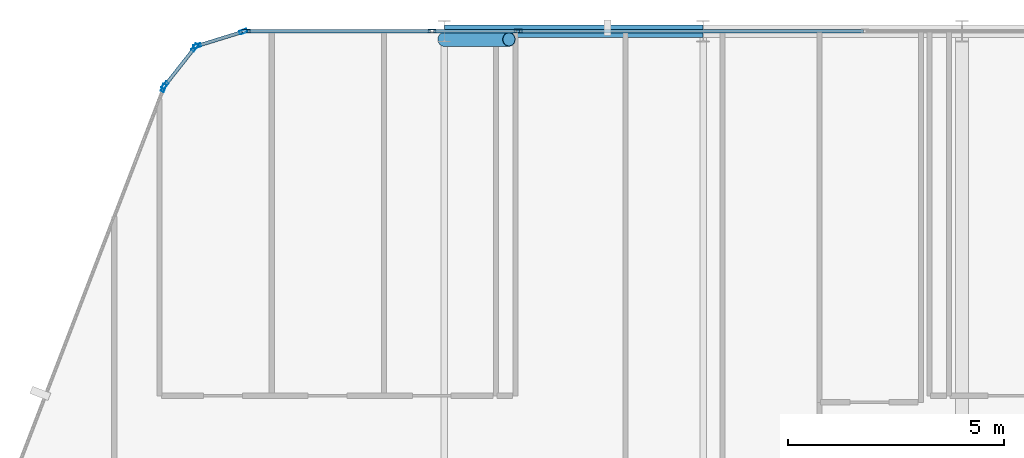
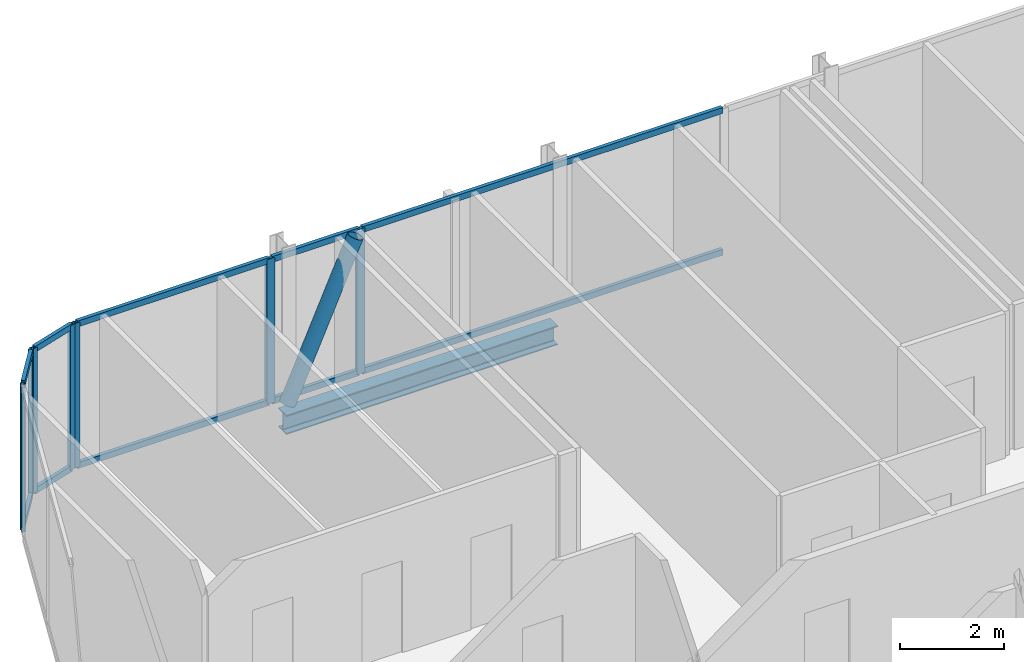
# One storey, part 17 of 31: 19 members, 1 beam, 6 elements without a shape of their own.
"""IFC4 building model written with IfcOpenShell, lengths in metres."""

from ifc_helpers import new_model, si_unit, direction, frame, origin, origin_2d, place, context, subcontext, project, spatial, hollow_rectangle, hollow_circle, i_section, extrude, material, layer, layer_set, material_profile, profile_set, type_object, element, aggregate, save


model = new_model("IFC4")

# Units and contexts
model_context = context("Model", 3, precision=1e-05, world=origin(), true_north=direction((0.0, 1.0)))
body_context = subcontext(model_context, "Body", "Model", "MODEL_VIEW")
ifc_project = project(units=[si_unit("LENGTHUNIT", "METRE"), si_unit("AREAUNIT", "SQUARE_METRE"), si_unit("VOLUMEUNIT", "CUBIC_METRE"), si_unit("PLANEANGLEUNIT", "RADIAN"), si_unit("MASSUNIT", "GRAM", prefix="KILO")], contexts=[model_context])

# Site, building, storey
site_placement = place(None, origin())
site = spatial("IfcSite", under=ifc_project, at=site_placement, CompositionType="ELEMENT")
building_placement = place(site_placement, origin())
building = spatial("IfcBuilding", under=site, at=building_placement, Name="Keshet Zoharim Tower", CompositionType="ELEMENT")
storey_placement = place(building_placement, frame((0.0, 0.0, 148.300048828125)))
storey = spatial("IfcBuildingStorey", under=building, at=storey_placement, Name="L36", CompositionType="ELEMENT", Elevation=148.300048828125)

# Beam
ifc_material_1 = material(Name="Steel S355", Category="steel")
ifc_material_profile_1 = material_profile(ifc_material_1, i_section(OverallWidth=0.300048828125, OverallDepth=0.449951171875, WebThickness=0.013916015625, FlangeThickness=0.02587890625, FilletRadius=0.027099609375, at=origin_2d()), Name="HEB450")
ifc_profile_set_1 = profile_set([ifc_material_profile_1], Name="Steel S355")
beam_type = type_object("IfcBeamType", Name="BM-WEB-HB450", PredefinedType="BEAM", material=ifc_profile_set_1)
beam_placement = place(storey_placement, frame((21.0, 53.89990234375, -0.5400390625), z_axis=(1.0, 0.0, 0.0), x_axis=(0.0, 1.0, 0.0)))
element("IfcBeam", 1, at=beam_placement, inside=storey, type_object=beam_type, Name="L36 Primary Girder X-020", PredefinedType="BEAM", context=body_context, shape_type="SweptSolid", body=[
    extrude(i_section(OverallWidth=0.300048828125, OverallDepth=0.449951171875, WebThickness=0.013916015625, FlangeThickness=0.02587890625, FilletRadius=0.027099609375, at=origin_2d()), origin(), (0.0, 0.0, 1.0), 6.0),
])

# Curtain wall, member
ifc_material_2 = material(Name="Aluminium 6063-T6", Category="aluminium")
ifc_layer = layer(ifc_material_2, 0.159912109375)
ifc_layer_set = layer_set([ifc_layer], Name="Aluminium 6063-T6")
curtain_wall_type = type_object("IfcCurtainWallType", Name="CW-SYS-03", PredefinedType="NOTDEFINED", material=ifc_layer_set)
curtain_wall_1_placement = place(storey_placement, origin())
curtain_wall_1 = element("IfcCurtainWall", 2, at=curtain_wall_1_placement, inside=storey, type_object=curtain_wall_type, Name="L36 Unitised Curtain Wall 10", PredefinedType="NOTDEFINED")
ifc_material_profile_2 = material_profile(ifc_material_2, hollow_rectangle(XDim=0.080078125, YDim=0.179931640625, WallThickness=0.00439453125, at=origin_2d()), Name="MUL-80x180")
ifc_profile_set_2 = profile_set([ifc_material_profile_2], Name="Aluminium 6063-T6")
member_type_1 = type_object("IfcMemberType", Name="CWM-M18", PredefinedType="MULLION", material=ifc_profile_set_2)
member_1_placement = place(storey_placement, frame((14.494384765625, 52.58544921875, 0.0), z_axis=(0.0, 0.0, 1.0), x_axis=(-0.933341404361, 0.358990003907, 0.0)))
member_1 = element("IfcMember", 3, at=member_1_placement, type_object=member_type_1, Name="CW-03 mullion 4", PredefinedType="MULLION", context=body_context, shape_type="SweptSolid", body=[
    extrude(hollow_rectangle(XDim=0.080078125, YDim=0.179931640625, WallThickness=0.00439453125, at=origin_2d()), origin(), (0.0, 0.0, 1.0), 3.385009765625),
])
aggregate(curtain_wall_1, [member_1])

# Curtain wall, members
curtain_wall_2_placement = place(storey_placement, origin())
curtain_wall_2 = element("IfcCurtainWall", 4, at=curtain_wall_2_placement, inside=storey, type_object=curtain_wall_type, Name="L36 Unitised Curtain Wall 11", PredefinedType="NOTDEFINED")
member_2_placement = place(storey_placement, frame((14.528564453125, 52.6455078125, 0.0), z_axis=(0.0, 0.0, 1.0), x_axis=(-0.785292825205, 0.619124525989, 0.0)))
member_2 = element("IfcMember", 5, at=member_2_placement, type_object=member_type_1, Name="CW-03 mullion 1", PredefinedType="MULLION", context=body_context, shape_type="SweptSolid", body=[
    extrude(hollow_rectangle(XDim=0.080078125, YDim=0.179931640625, WallThickness=0.00439453125, at=origin_2d()), origin(), (0.0, 0.0, 1.0), 3.385009765625),
])
member_3_placement = place(storey_placement, frame((15.21923828125, 53.521484375, 0.0), z_axis=(0.0, 0.0, 1.0), x_axis=(-0.785292825205, 0.619124525989, 0.0)))
member_3 = element("IfcMember", 6, at=member_3_placement, type_object=member_type_1, Name="CW-03 mullion 2", PredefinedType="MULLION", context=body_context, shape_type="SweptSolid", body=[
    extrude(hollow_rectangle(XDim=0.080078125, YDim=0.179931640625, WallThickness=0.00439453125, at=origin_2d()), origin(), (0.0, 0.0, 1.0), 3.385009765625),
])

curtain_wall_3_placement = place(storey_placement, origin())
curtain_wall_3 = element("IfcCurtainWall", 7, at=curtain_wall_3_placement, inside=storey, type_object=curtain_wall_type, Name="L36 Unitised Curtain Wall 12", PredefinedType="NOTDEFINED")
member_4_placement = place(storey_placement, frame((15.2744140625, 53.559326171875, 0.0), z_axis=(0.0, 0.0, 1.0), x_axis=(-0.295921857984, 0.955212151288, 0.0)))
member_4 = element("IfcMember", 8, at=member_4_placement, type_object=member_type_1, Name="CW-03 mullion 1", PredefinedType="MULLION", context=body_context, shape_type="SweptSolid", body=[
    extrude(hollow_rectangle(XDim=0.080078125, YDim=0.179931640625, WallThickness=0.00439453125, at=origin_2d()), origin(), (0.0, 0.0, 1.0), 3.385009765625),
])
member_5_placement = place(storey_placement, frame((16.340576171875, 53.8896484375, 0.0), z_axis=(0.0, 0.0, 1.0), x_axis=(-0.295921857984, 0.955212151288, 0.0)))
member_5 = element("IfcMember", 9, at=member_5_placement, type_object=member_type_1, Name="CW-03 mullion 2", PredefinedType="MULLION", context=body_context, shape_type="SweptSolid", body=[
    extrude(hollow_rectangle(XDim=0.080078125, YDim=0.179931640625, WallThickness=0.00439453125, at=origin_2d()), origin(), (0.0, 0.0, 1.0), 3.385009765625),
])

curtain_wall_4_placement = place(storey_placement, origin())
curtain_wall_4 = element("IfcCurtainWall", 10, at=curtain_wall_4_placement, inside=storey, type_object=curtain_wall_type, Name="L36 Unitised Curtain Wall 13", PredefinedType="NOTDEFINED")
member_6_placement = place(storey_placement, frame((16.408935546875, 53.89990234375, 0.0), z_axis=(0.0, 0.0, 1.0), x_axis=(0.0, 1.0, 0.0)))
member_6 = element("IfcMember", 11, at=member_6_placement, type_object=member_type_1, Name="CW-03 mullion 1", PredefinedType="MULLION", context=body_context, shape_type="SweptSolid", body=[
    extrude(hollow_rectangle(XDim=0.080078125, YDim=0.179931640625, WallThickness=0.00439453125, at=origin_2d()), origin(), (0.0, 0.0, 1.0), 3.385009765625),
])
member_7_placement = place(storey_placement, frame((20.716796875, 53.89990234375, 0.0), z_axis=(0.0, 0.0, 1.0), x_axis=(0.0, 1.0, 0.0)))
member_7 = element("IfcMember", 12, at=member_7_placement, type_object=member_type_1, Name="CW-03 mullion 2", PredefinedType="MULLION", context=body_context, shape_type="SweptSolid", body=[
    extrude(hollow_rectangle(XDim=0.080078125, YDim=0.179931640625, WallThickness=0.00439453125, at=origin_2d()), origin(), (0.0, 0.0, 1.0), 3.385009765625),
])

# Curtain wall, member
curtain_wall_5_placement = place(storey_placement, origin())
curtain_wall_5 = element("IfcCurtainWall", 13, at=curtain_wall_5_placement, inside=storey, type_object=curtain_wall_type, Name="L36 Unitised Curtain Wall 13 Part 2", PredefinedType="NOTDEFINED")
member_8_placement = place(storey_placement, frame((22.713134765625, 53.89990234375, 0.0), z_axis=(0.0, 0.0, 1.0), x_axis=(0.0, 1.0, 0.0)))
member_8 = element("IfcMember", 14, at=member_8_placement, type_object=member_type_1, Name="CW-03 mullion 2", PredefinedType="MULLION", context=body_context, shape_type="SweptSolid", body=[
    extrude(hollow_rectangle(XDim=0.080078125, YDim=0.179931640625, WallThickness=0.00439453125, at=origin_2d()), origin(), (0.0, 0.0, 1.0), 3.385009765625),
])

# Member
ifc_material_profile_3 = material_profile(ifc_material_2, hollow_rectangle(XDim=0.080078125, YDim=0.139892578125, WallThickness=0.00390625, at=origin_2d()), Name="TRN-80x140")
ifc_profile_set_3 = profile_set([ifc_material_profile_3], Name="Aluminium 6063-T6")
member_type_2 = type_object("IfcMemberType", Name="CWT-T14", PredefinedType="USERDEFINED", material=ifc_profile_set_3)
member_9_placement = place(storey_placement, frame((14.55029296875, 52.6728515625, 0.034912109375), z_axis=(0.619099165969, 0.78531281837, 0.0), x_axis=(-0.78531281837, 0.619099165969, 0.0)))
member_9 = element("IfcMember", 15, at=member_9_placement, type_object=member_type_2, Name="CW-03 transom 1.1", ObjectType="TRANSOM", PredefinedType="USERDEFINED", context=body_context, shape_type="SweptSolid", body=[
    extrude(hollow_rectangle(XDim=0.080078125, YDim=0.139892578125, WallThickness=0.00390625, at=origin_2d()), origin(), (0.0, 0.0, 1.0), 1.0458984375),
])

member_10_placement = place(storey_placement, frame((14.55029296875, 52.6728515625, 3.349853515625), z_axis=(0.619099165969, 0.78531281837, 0.0), x_axis=(-0.78531281837, 0.619099165969, 0.0)))
member_10 = element("IfcMember", 16, at=member_10_placement, type_object=member_type_2, Name="CW-03 transom 1.2", ObjectType="TRANSOM", PredefinedType="USERDEFINED", context=body_context, shape_type="SweptSolid", body=[
    extrude(hollow_rectangle(XDim=0.080078125, YDim=0.139892578125, WallThickness=0.00390625, at=origin_2d()), origin(), (0.0, 0.0, 1.0), 1.0458984375),
])

aggregate(curtain_wall_2, [member_2, member_3, member_9, member_10])

member_11_placement = place(storey_placement, frame((15.307861328125, 53.56982421875, 0.034912109375), z_axis=(0.955212093062, 0.295922045933, 0.0), x_axis=(-0.295922045933, 0.955212093062, 0.0)))
member_11 = element("IfcMember", 17, at=member_11_placement, type_object=member_type_2, Name="CW-03 transom 1.1", ObjectType="TRANSOM", PredefinedType="USERDEFINED", context=body_context, shape_type="SweptSolid", body=[
    extrude(hollow_rectangle(XDim=0.080078125, YDim=0.139892578125, WallThickness=0.00390625, at=origin_2d()), origin(), (0.0, 0.0, 1.0), 1.046142578125),
])

member_12_placement = place(storey_placement, frame((15.307861328125, 53.56982421875, 3.349853515625), z_axis=(0.955212093062, 0.295922045933, 0.0), x_axis=(-0.295922045933, 0.955212093062, 0.0)))
member_12 = element("IfcMember", 18, at=member_12_placement, type_object=member_type_2, Name="CW-03 transom 1.2", ObjectType="TRANSOM", PredefinedType="USERDEFINED", context=body_context, shape_type="SweptSolid", body=[
    extrude(hollow_rectangle(XDim=0.080078125, YDim=0.139892578125, WallThickness=0.00390625, at=origin_2d()), origin(), (0.0, 0.0, 1.0), 1.046142578125),
])

aggregate(curtain_wall_3, [member_4, member_5, member_11, member_12])

member_13_placement = place(storey_placement, frame((16.444091796875, 53.89990234375, 0.034912109375), z_axis=(1.0, 0.0, 0.0), x_axis=(0.0, 1.0, 0.0)))
member_13 = element("IfcMember", 19, at=member_13_placement, type_object=member_type_2, Name="CW-03 transom 1.1", ObjectType="TRANSOM", PredefinedType="USERDEFINED", context=body_context, shape_type="SweptSolid", body=[
    extrude(hollow_rectangle(XDim=0.080078125, YDim=0.139892578125, WallThickness=0.00390625, at=origin_2d()), origin(), (0.0, 0.0, 1.0), 4.23779296875),
])

member_14_placement = place(storey_placement, frame((16.444091796875, 53.89990234375, 3.349853515625), z_axis=(1.0, 0.0, 0.0), x_axis=(0.0, 1.0, 0.0)))
member_14 = element("IfcMember", 20, at=member_14_placement, type_object=member_type_2, Name="CW-03 transom 1.2", ObjectType="TRANSOM", PredefinedType="USERDEFINED", context=body_context, shape_type="SweptSolid", body=[
    extrude(hollow_rectangle(XDim=0.080078125, YDim=0.139892578125, WallThickness=0.00390625, at=origin_2d()), origin(), (0.0, 0.0, 1.0), 4.23779296875),
])

aggregate(curtain_wall_4, [member_6, member_7, member_13, member_14])

member_15_placement = place(storey_placement, frame((20.751953125, 53.89990234375, 0.034912109375), z_axis=(1.0, 0.0, 0.0), x_axis=(0.0, 1.0, 0.0)))
member_15 = element("IfcMember", 21, at=member_15_placement, type_object=member_type_2, Name="CW-03 transom 1.1", ObjectType="TRANSOM", PredefinedType="USERDEFINED", context=body_context, shape_type="SweptSolid", body=[
    extrude(hollow_rectangle(XDim=0.080078125, YDim=0.139892578125, WallThickness=0.00390625, at=origin_2d()), origin(), (0.0, 0.0, 1.0), 1.926025390625),
])

member_16_placement = place(storey_placement, frame((20.751953125, 53.89990234375, 3.349853515625), z_axis=(1.0, 0.0, 0.0), x_axis=(0.0, 1.0, 0.0)))
member_16 = element("IfcMember", 22, at=member_16_placement, type_object=member_type_2, Name="CW-03 transom 1.2", ObjectType="TRANSOM", PredefinedType="USERDEFINED", context=body_context, shape_type="SweptSolid", body=[
    extrude(hollow_rectangle(XDim=0.080078125, YDim=0.139892578125, WallThickness=0.00390625, at=origin_2d()), origin(), (0.0, 0.0, 1.0), 1.926025390625),
])

aggregate(curtain_wall_5, [member_8, member_15, member_16])

# Curtain wall, members
curtain_wall_6_placement = place(storey_placement, origin())
curtain_wall_6 = element("IfcCurtainWall", 23, at=curtain_wall_6_placement, inside=storey, type_object=curtain_wall_type, Name="L36 Unitised Curtain Wall 13 Part 3", PredefinedType="NOTDEFINED")
member_17_placement = place(storey_placement, frame((22.748046875, 53.89990234375, 0.034912109375), z_axis=(1.0, 0.0, 0.0), x_axis=(0.0, 1.0, 0.0)))
member_17 = element("IfcMember", 24, at=member_17_placement, type_object=member_type_2, Name="CW-03 transom 1.1", ObjectType="TRANSOM", PredefinedType="USERDEFINED", context=body_context, shape_type="SweptSolid", body=[
    extrude(hollow_rectangle(XDim=0.080078125, YDim=0.139892578125, WallThickness=0.00390625, at=origin_2d()), origin(), (0.0, 0.0, 1.0), 7.967041015625),
])
member_18_placement = place(storey_placement, frame((22.748046875, 53.89990234375, 3.349853515625), z_axis=(1.0, 0.0, 0.0), x_axis=(0.0, 1.0, 0.0)))
member_18 = element("IfcMember", 25, at=member_18_placement, type_object=member_type_2, Name="CW-03 transom 1.2", ObjectType="TRANSOM", PredefinedType="USERDEFINED", context=body_context, shape_type="SweptSolid", body=[
    extrude(hollow_rectangle(XDim=0.080078125, YDim=0.139892578125, WallThickness=0.00390625, at=origin_2d()), origin(), (0.0, 0.0, 1.0), 7.967041015625),
])
aggregate(curtain_wall_6, [member_17, member_18])

# Member
ifc_material_profile_4 = material_profile(ifc_material_1, hollow_circle(Radius=0.161865234375, WallThickness=0.012451171875, at=origin_2d()), Name="CHS323x12.5")
ifc_profile_set_4 = profile_set([ifc_material_profile_4], Name="Steel S355")
member_type_3 = type_object("IfcMemberType", Name="MB-BR-C323", PredefinedType="BRACE", material=ifc_profile_set_4)
member_19_placement = place(storey_placement, frame((21.0, 53.7099609375, 0.0), z_axis=(0.405134846829, 0.0, 0.91425694194), x_axis=(0.0, 1.0, 0.0)))
element("IfcMember", 26, at=member_19_placement, inside=storey, type_object=member_type_3, Name="L36 Perimeter Tube Brace 02", PredefinedType="BRACE", context=body_context, shape_type="SweptSolid", body=[
    extrude(hollow_circle(Radius=0.161865234375, WallThickness=0.012451171875, at=origin_2d()), origin(), (0.0, 0.0, 1.0), 3.702392578125),
])

save(model, "model.ifc")
